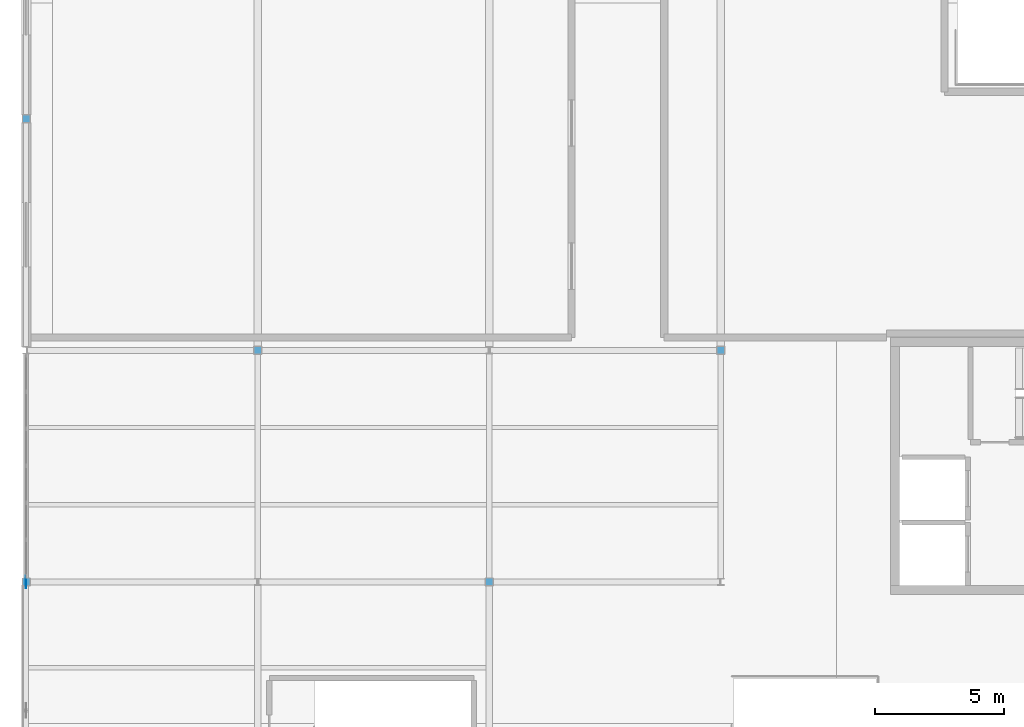
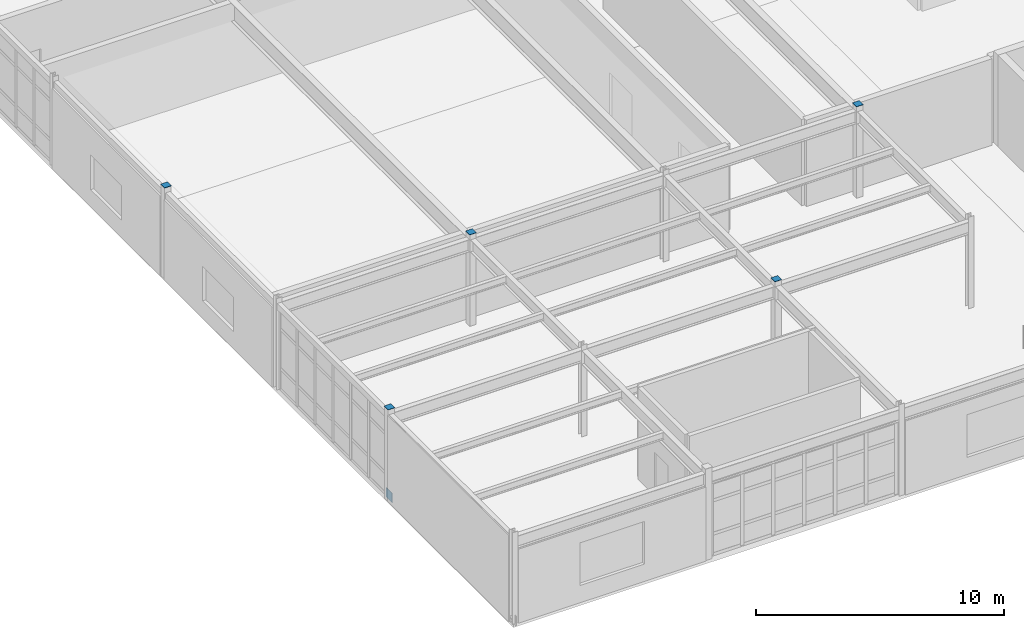
# One storey, part 66 of 81: 6 discrete accessories.
"""IFC4 building model written with IfcOpenShell, lengths in metres."""

from ifc_helpers import new_model, si_unit, direction, frame, origin, origin_2d, place, context, subcontext, project, spatial, rectangle, extrude, material, type_object, element, save


model = new_model("IFC4")

# Units and contexts
model_context = context("Model", 3, precision=1e-05, world=origin(), true_north=direction((0.0, 1.0)))
body_context = subcontext(model_context, "Body", "Model", "MODEL_VIEW")
ifc_project = project(units=[si_unit("LENGTHUNIT", "METRE"), si_unit("AREAUNIT", "SQUARE_METRE"), si_unit("VOLUMEUNIT", "CUBIC_METRE"), si_unit("PLANEANGLEUNIT", "RADIAN"), si_unit("MASSUNIT", "GRAM", prefix="KILO")], contexts=[model_context])

# Site, building, storey
site_placement = place(None, origin())
site = spatial("IfcSite", under=ifc_project, at=site_placement, CompositionType="ELEMENT")
building_placement = place(site_placement, origin())
building = spatial("IfcBuilding", under=site, at=building_placement, Name="Glasvene Arena", CompositionType="ELEMENT")
storey_placement = place(building_placement, frame((0.0, 0.0, 15.0)))
storey = spatial("IfcBuildingStorey", under=building, at=storey_placement, Name="L03", CompositionType="ELEMENT", Elevation=15.0)

# Discrete accessories
ifc_material = material(Name="Steel S355J2", Category="steel")
discrete_accessory_type_1 = type_object("IfcDiscreteAccessoryType", Name="ACC-BRACE-GP20", PredefinedType="BRACKET", material=ifc_material)
discrete_accessory_placement = place(storey_placement, frame((0.0, 64.0, -0.070068359375), z_axis=(0.0, 0.0, 1.0), x_axis=(1.0, 0.0, 0.0)))
element("IfcDiscreteAccessory", 1, at=discrete_accessory_placement, inside=storey, type_object=discrete_accessory_type_1, Name="Chevron brace base gusset plate L03-016-B", PredefinedType="BRACKET", context=body_context, shape_type="SweptSolid", body=[
    extrude(rectangle(XDim=0.02001953125, YDim=0.47998046875, at=origin_2d()), origin(), (0.0, 0.0, 1.0), 0.47998046875),
])
discrete_accessory_type_2 = type_object("IfcDiscreteAccessoryType", Name="ACC-CAP-SHS320", PredefinedType="USERDEFINED", material=ifc_material)
for number, where, z_axis, x_axis, name in (
    (2, (0.0, 64.0, 4.498046875), (0.0, 0.0, 1.0), (1.0, 0.0, 0.0), "Hollow column top cap plate 1-8 L03"),
    (3, (0.0, 82.0, 4.498046875), (0.0, 0.0, 1.0), (1.0, 0.0, 0.0), "Hollow column top cap plate 1-10 L03"),
    (4, (9.0, 73.0, 4.498046875), (0.0, 0.0, 1.0), (1.0, 0.0, 0.0), "Hollow column top cap plate 2-9 L03"),
    (5, (18.0, 64.0, 4.498046875), (0.0, 0.0, 1.0), (1.0, 0.0, 0.0), "Hollow column top cap plate 3-8 L03"),
    (6, (27.0, 73.0, 4.498046875), (0.0, 0.0, 1.0), (1.0, 0.0, 0.0), "Hollow column top cap plate 4-9 L03"),
):
    element("IfcDiscreteAccessory", number, at=place(storey_placement, frame(where, z_axis=z_axis, x_axis=x_axis)), inside=storey, type_object=discrete_accessory_type_2, Name=name, ObjectType="CAP PLATE", PredefinedType="USERDEFINED", context=body_context, shape_type="SweptSolid", body=[
        extrude(rectangle(XDim=0.320068359375, YDim=0.320068359375, at=origin_2d()), origin(), (0.0, 0.0, 1.0), 0.02001953125),
    ])

save(model, "model.ifc")
